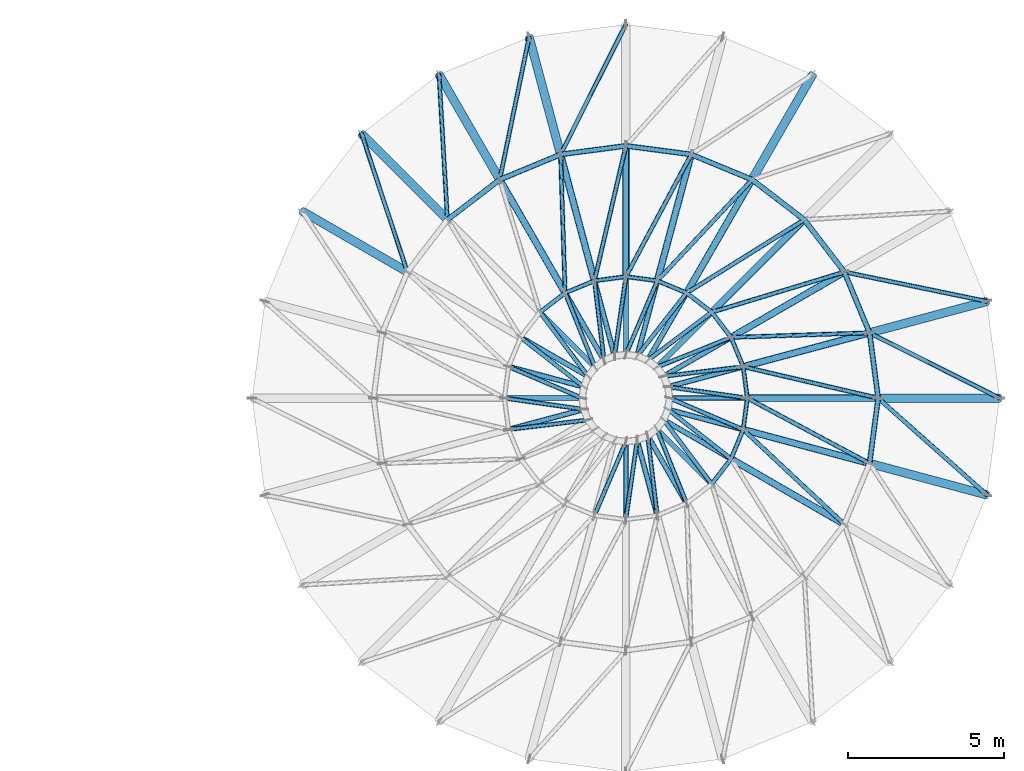
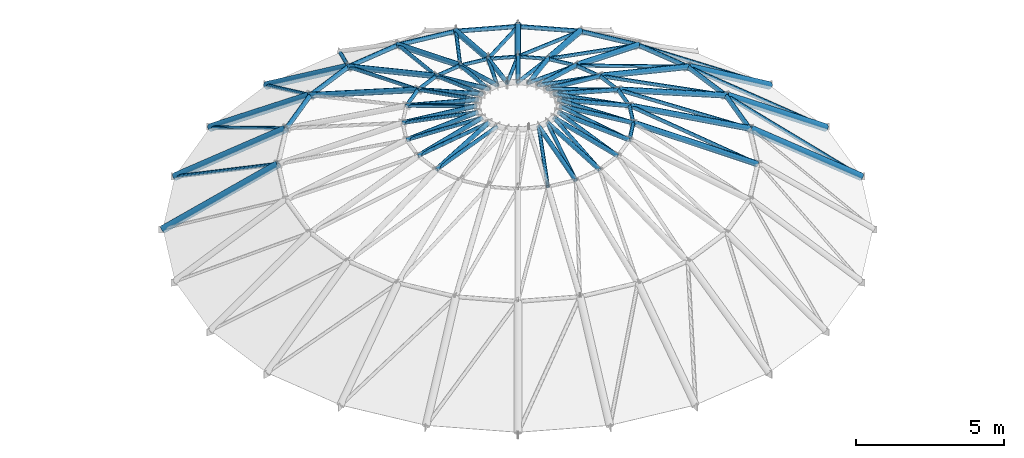
# One storey, part 16 of 32: 60 members, 39 beams.
"""IFC4 building model written with IfcOpenShell, lengths in metres."""

from ifc_helpers import new_model, si_unit, direction, frame, origin, origin_2d, place, context, subcontext, project, spatial, hollow_circle, extrude, material, material_profile, profile_set, type_object, element, save


model = new_model("IFC4")

# Units and contexts
model_context = context("Model", 3, precision=1e-05, world=origin(), true_north=direction((0.0, 1.0)))
body_context = subcontext(model_context, "Body", "Model", "MODEL_VIEW")
ifc_project = project(units=[si_unit("LENGTHUNIT", "METRE"), si_unit("AREAUNIT", "SQUARE_METRE"), si_unit("VOLUMEUNIT", "CUBIC_METRE"), si_unit("PLANEANGLEUNIT", "RADIAN"), si_unit("MASSUNIT", "GRAM", prefix="KILO")], contexts=[model_context])

# Site, building, storey
site_placement = place(None, origin())
site = spatial("IfcSite", under=ifc_project, at=site_placement, CompositionType="ELEMENT")
building_placement = place(site_placement, origin())
building = spatial("IfcBuilding", under=site, at=building_placement, Name="Kandorven Conservatory and Botanical Research Centre", CompositionType="ELEMENT")
storey_placement = place(building_placement, frame((0.0, 0.0, 17.10009765625)))
storey = spatial("IfcBuildingStorey", under=building, at=storey_placement, Name="L04", CompositionType="ELEMENT", Elevation=17.10009765625)

# Beams
ifc_material_1 = material(Name="Steel S355 (IS 2062 E350)", Category="steel")
ifc_material_profile_1 = material_profile(ifc_material_1, hollow_circle(Radius=0.136474609375, WallThickness=0.013916015625, at=origin_2d()))
ifc_profile_set_1 = profile_set([ifc_material_profile_1], Name="Steel S355 (IS 2062 E350)")
beam_type_1 = type_object("IfcBeamType", Name="Beam_DR-03", PredefinedType="BEAM", material=ifc_profile_set_1)
for number, where, z_axis, x_axis, name in (
    (1, (99.60009765625, 47.800048828125, 0.599853515625), (-0.822207014252, 0.0, 0.569188567801), (0.0, -1.0, 0.0), "Conservatory Dome Rib DR-03 T3-R01"),
    (2, (99.191162109375, 50.90576171875, 0.599853515625), (-0.794183866007, -0.212777453148, 0.569207995733), (0.258792408894, -0.965932963046, 0.0), "Conservatory Dome Rib DR-03 T3-R02"),
):
    element("IfcBeam", number, at=place(storey_placement, frame(where, z_axis=z_axis, x_axis=x_axis)), inside=storey, type_object=beam_type_1, Name=name, PredefinedType="BEAM", context=body_context, shape_type="SweptSolid", body=[
        extrude(hollow_circle(Radius=0.136474609375, WallThickness=0.013916015625, at=origin_2d()), origin(), (0.0, 0.0, 1.0), 4.743408203125),
    ])
beam_1_placement = place(storey_placement, frame((93.60009765625, 58.1923828125, 0.599853515625), z_axis=(-0.411121212857, -0.71205082372, 0.569177452802), x_axis=(0.866015672276, -0.500016855088, 0.0)))
element("IfcBeam", 3, at=beam_1_placement, inside=storey, type_object=beam_type_1, Name="Conservatory Dome Rib DR-03 T3-R05", PredefinedType="BEAM", context=body_context, shape_type="SweptSolid", body=[
    extrude(hollow_circle(Radius=0.136474609375, WallThickness=0.013916015625, at=origin_2d()), origin(), (0.0, 0.0, 1.0), 4.74365234375),
])
for number, where, z_axis, x_axis, name in (
    (4, (84.494140625, 59.39111328125, 0.599853515625), (0.212826592184, -0.79417516745, 0.569201761298), (0.965917312786, 0.258850815837, 0.0), "Conservatory Dome Rib DR-03 T3-R08"),
    (5, (81.60009765625, 58.1923828125, 0.599853515625), (0.411078443192, -0.712065889767, 0.569189495839), (0.866042777325, 0.499969906938, 0.0), "Conservatory Dome Rib DR-03 T3-R09"),
    (6, (79.11474609375, 56.285400390625, 0.599853515625), (0.581353568201, -0.581405038194, 0.56920664991), (0.707138080869, 0.707075480118, 0.0), "Conservatory Dome Rib DR-03 T3-R10"),
    (7, (77.207763671875, 53.800048828125, 0.599853515625), (0.712040516377, -0.411093509058, 0.569210356413), (0.499997012787, 0.866027128446, 0.0), "Conservatory Dome Rib DR-03 T3-R11"),
    (8, (99.191162109375, 44.694091796875, 0.599853515625), (-0.79417516745, 0.212826592184, 0.569201761298), (-0.258850815837, -0.965917312786, 0.0), "Conservatory Dome Rib DR-03 T3-R24"),
):
    element("IfcBeam", number, at=place(storey_placement, frame(where, z_axis=z_axis, x_axis=x_axis)), inside=storey, type_object=beam_type_1, Name=name, PredefinedType="BEAM", context=body_context, shape_type="SweptSolid", body=[
        extrude(hollow_circle(Radius=0.136474609375, WallThickness=0.013916015625, at=origin_2d()), origin(), (0.0, 0.0, 1.0), 4.743408203125),
    ])
ifc_material_2 = material(Name="Steel S355 (IS 2062 E350)", Category="steel")
ifc_material_profile_2 = material_profile(ifc_material_2, hollow_circle(Radius=0.109619140625, WallThickness=0.011962890625, at=origin_2d()))
ifc_profile_set_2 = profile_set([ifc_material_profile_2], Name="Steel S355 (IS 2062 E350)")
beam_type_2 = type_object("IfcBeamType", Name="Beam_DR-04", PredefinedType="BEAM", material=ifc_profile_set_2)
for number, where, z_axis, x_axis, name in (
    (9, (95.699951171875, 47.800048828125, 3.2998046875), (-0.926930303941, 0.0, 0.375233542792), (0.0, -1.0, 0.0), "Conservatory Dome Rib DR-04 T4-R01"),
    (10, (95.424072265625, 49.896484375, 3.2998046875), (-0.895341618851, -0.239932372194, 0.375227720628), (0.258845526043, -0.965918730353, 0.0), "Conservatory Dome Rib DR-04 T4-R02"),
    (11, (94.61474609375, 51.85009765625, 3.2998046875), (-0.802730664096, -0.463491017086, 0.375232671819), (0.500027713859, -0.866009402589, 0.0), "Conservatory Dome Rib DR-04 T4-R03"),
):
    element("IfcBeam", number, at=place(storey_placement, frame(where, z_axis=z_axis, x_axis=x_axis)), inside=storey, type_object=beam_type_2, Name=name, PredefinedType="BEAM", context=body_context, shape_type="SweptSolid", body=[
        extrude(hollow_circle(Radius=0.109619140625, WallThickness=0.011962890625, at=origin_2d()), origin(), (0.0, 0.0, 1.0), 4.531005859375),
    ])
beam_2_placement = place(storey_placement, frame((93.32763671875, 53.527587890625, 3.2998046875), z_axis=(-0.655443574187, -0.655443574187, 0.375216526974), x_axis=(0.707106781187, -0.707106781187, 0.0)))
element("IfcBeam", 12, at=beam_2_placement, inside=storey, type_object=beam_type_2, Name="Conservatory Dome Rib DR-04 T4-R04", PredefinedType="BEAM", context=body_context, shape_type="SweptSolid", body=[
    extrude(hollow_circle(Radius=0.109619140625, WallThickness=0.011962890625, at=origin_2d()), origin(), (0.0, 0.0, 1.0), 4.53125),
])
for number, where, z_axis, x_axis, name in (
    (13, (91.64990234375, 54.814697265625, 3.2998046875), (-0.463448708822, -0.802750710851, 0.375242042581), (0.866034573852, -0.49998411664, 0.0), "Conservatory Dome Rib DR-04 T4-R05"),
    (14, (89.6962890625, 55.6240234375, 3.2998046875), (-0.239881591947, -0.895353192583, 0.37523257105), (0.965933262516, -0.258791291131, 0.0), "Conservatory Dome Rib DR-04 T4-R06"),
    (15, (87.60009765625, 55.89990234375, 3.2998046875), (0.0, -0.926930303941, 0.375233542792), (1.0, 0.0, 0.0), "Conservatory Dome Rib DR-04 T4-R07"),
    (16, (85.503662109375, 55.6240234375, 3.2998046875), (0.239881591947, -0.895353192583, 0.37523257105), (0.965933262516, 0.258791291131, 0.0), "Conservatory Dome Rib DR-04 T4-R08"),
    (17, (83.550048828125, 54.814697265625, 3.2998046875), (0.463448708822, -0.802750710851, 0.375242042581), (0.866034573852, 0.49998411664, 0.0), "Conservatory Dome Rib DR-04 T4-R09"),
    (18, (94.61474609375, 43.75, 3.2998046875), (-0.802730664096, 0.463491017086, 0.375232671819), (-0.500027713859, -0.866009402589, 0.0), "Conservatory Dome Rib DR-04 T4-R23"),
    (19, (95.424072265625, 45.70361328125, 3.2998046875), (-0.895353192583, 0.239881591947, 0.37523257105), (-0.258791291131, -0.965933262516, 0.0), "Conservatory Dome Rib DR-04 T4-R24"),
):
    element("IfcBeam", number, at=place(storey_placement, frame(where, z_axis=z_axis, x_axis=x_axis)), inside=storey, type_object=beam_type_2, Name=name, PredefinedType="BEAM", context=body_context, shape_type="SweptSolid", body=[
        extrude(hollow_circle(Radius=0.109619140625, WallThickness=0.011962890625, at=origin_2d()), origin(), (0.0, 0.0, 1.0), 4.531005859375),
    ])
ifc_material_3 = material(Name="Steel S355 (IS 2062 E350)", Category="steel")
ifc_material_profile_3 = material_profile(ifc_material_3, hollow_circle(Radius=0.084228515625, WallThickness=0.010009765625, at=origin_2d()))
ifc_profile_set_3 = profile_set([ifc_material_profile_3], Name="Steel S355 (IS 2062 E350)")
beam_type_3 = type_object("IfcBeamType", Name="Beam_DR-05", PredefinedType="BEAM", material=ifc_profile_set_3)
for number, where, z_axis, x_axis, name in (
    (20, (91.5, 47.800048828125, 5.0), (-0.962968902935, 0.0, 0.269612484836), (0.0, -1.0, 0.0), "Conservatory Dome Rib DR-05 T5-R01"),
    (21, (91.3671875, 48.809326171875, 5.0), (-0.930162206369, -0.249209366786, 0.269616322481), (0.258793034845, -0.965932795341, 0.0), "Conservatory Dome Rib DR-05 T5-R02"),
    (22, (90.9775390625, 49.75, 5.0), (-0.833952665417, -0.481488232627, 0.269614602137), (0.500004234368, -0.866022959057, 0.0), "Conservatory Dome Rib DR-05 T5-R03"),
    (23, (90.357666015625, 50.5576171875, 5.0), (-0.680923390004, -0.680923390004, 0.269604662221), (0.707106781187, -0.707106781187, 0.0), "Conservatory Dome Rib DR-05 T5-R04"),
    (24, (89.550048828125, 51.177490234375, 5.0), (-0.481488232627, -0.833952665417, 0.269614602137), (0.866022959057, -0.500004234368, 0.0), "Conservatory Dome Rib DR-05 T5-R05"),
    (25, (88.609375, 51.567138671875, 5.0), (-0.249209366786, -0.930162206369, 0.269616322481), (0.965932795341, -0.258793034845, 0.0), "Conservatory Dome Rib DR-05 T5-R06"),
    (26, (87.60009765625, 51.699951171875, 5.0), (0.0, -0.962968902935, 0.269612484836), (1.0, 0.0, 0.0), "Conservatory Dome Rib DR-05 T5-R07"),
    (27, (86.590576171875, 51.567138671875, 5.0), (0.249297564493, -0.930140403774, 0.269610002792), (0.965908379501, 0.258884148626, 0.0), "Conservatory Dome Rib DR-05 T5-R08"),
    (28, (85.64990234375, 51.177490234375, 5.0), (0.481488232627, -0.833952665417, 0.269614602137), (0.866022959057, 0.500004234368, 0.0), "Conservatory Dome Rib DR-05 T5-R09"),
    (29, (84.84228515625, 50.5576171875, 5.0), (0.680923390004, -0.680923390004, 0.269604662221), (0.707106781187, 0.707106781187, 0.0), "Conservatory Dome Rib DR-05 T5-R10"),
):
    element("IfcBeam", number, at=place(storey_placement, frame(where, z_axis=z_axis, x_axis=x_axis)), inside=storey, type_object=beam_type_3, Name=name, PredefinedType="BEAM", context=body_context, shape_type="SweptSolid", body=[
        extrude(hollow_circle(Radius=0.084228515625, WallThickness=0.010009765625, at=origin_2d()), origin(), (0.0, 0.0, 1.0), 2.59619140625),
    ])
beam_3_placement = place(storey_placement, frame((84.222412109375, 49.75, 5.0), z_axis=(0.833981299591, -0.481450474, 0.269593458781), x_axis=(0.499961950354, 0.866047370643, 0.0)))
element("IfcBeam", 30, at=beam_3_placement, inside=storey, type_object=beam_type_3, Name="Conservatory Dome Rib DR-05 T5-R11", PredefinedType="BEAM", context=body_context, shape_type="SweptSolid", body=[
    extrude(hollow_circle(Radius=0.084228515625, WallThickness=0.010009765625, at=origin_2d()), origin(), (0.0, 0.0, 1.0), 2.596435546875),
])
for number, where, z_axis, x_axis, name in (
    (31, (83.8330078125, 48.809326171875, 5.0), (0.930162206369, -0.249209366786, 0.269616322481), (0.258793034845, 0.965932795341, 0.0), "Conservatory Dome Rib DR-05 T5-R12"),
    (32, (83.699951171875, 47.800048828125, 5.0), (0.962968902935, 0.0, 0.269612484836), (0.0, 1.0, 0.0), "Conservatory Dome Rib DR-05 T5-R13"),
    (33, (83.8330078125, 46.79052734375, 5.0), (0.930140403774, 0.249297564493, 0.269610002792), (-0.258884148626, 0.965908379501, 0.0), "Conservatory Dome Rib DR-05 T5-R14"),
    (34, (87.60009765625, 43.89990234375, 5.0), (0.0, 0.962968902935, 0.269612484836), (-1.0, 0.0, 0.0), "Conservatory Dome Rib DR-05 T5-R19"),
    (35, (88.609375, 44.032958984375, 5.0), (-0.249209366786, 0.930162206369, 0.269616322481), (-0.965932795341, -0.258793034845, 0.0), "Conservatory Dome Rib DR-05 T5-R20"),
    (36, (89.550048828125, 44.422607421875, 5.0), (-0.481488232627, 0.833952665417, 0.269614602137), (-0.866022959057, -0.500004234368, 0.0), "Conservatory Dome Rib DR-05 T5-R21"),
    (37, (90.357666015625, 45.042236328125, 5.0), (-0.680923390004, 0.680923390004, 0.269604662221), (-0.707106781187, -0.707106781187, 0.0), "Conservatory Dome Rib DR-05 T5-R22"),
    (38, (90.9775390625, 45.85009765625, 5.0), (-0.833952665417, 0.481488232627, 0.269614602137), (-0.500004234368, -0.866022959057, 0.0), "Conservatory Dome Rib DR-05 T5-R23"),
    (39, (91.3671875, 46.79052734375, 5.0), (-0.930140403774, 0.249297564493, 0.269610002792), (-0.258884148626, -0.965908379501, 0.0), "Conservatory Dome Rib DR-05 T5-R24"),
):
    element("IfcBeam", number, at=place(storey_placement, frame(where, z_axis=z_axis, x_axis=x_axis)), inside=storey, type_object=beam_type_3, Name=name, PredefinedType="BEAM", context=body_context, shape_type="SweptSolid", body=[
        extrude(hollow_circle(Radius=0.084228515625, WallThickness=0.010009765625, at=origin_2d()), origin(), (0.0, 0.0, 1.0), 2.59619140625),
    ])

# Members
ifc_material_4 = material(Name="Steel S355 (IS 2062 E350)", Category="steel")
ifc_material_profile_4 = material_profile(ifc_material_4, hollow_circle(Radius=0.06982421875, WallThickness=0.008056640625, at=origin_2d()))
ifc_profile_set_4 = profile_set([ifc_material_profile_4], Name="Steel S355 (IS 2062 E350)")
member_type_1 = type_object("IfcMemberType", Name="Mem_DD-01", PredefinedType="BRACE", material=ifc_profile_set_4)
for number, where, z_axis, x_axis, name in (
    (40, (99.60009765625, 47.800048828125, 0.599853515625), (-0.773816293349, 0.388468898625, 0.500300168848), (-0.448655063842, -0.893705003728, 0.0), "Conservatory Dome Brace DD-01 T3-S01"),
    (41, (99.191162109375, 50.90576171875, 0.599853515625), (-0.847992198852, 0.174981799155, 0.50029051625), (-0.202090733283, -0.979366803359, 0.0), "Conservatory Dome Brace DD-01 T3-S02"),
    (42, (87.60009765625, 59.800048828125, 0.599853515625), (-0.388468898625, -0.773816293349, 0.500300168848), (0.893705003728, -0.448655063842, 0.0), "Conservatory Dome Brace DD-01 T3-S07"),
    (43, (84.494140625, 59.39111328125, 0.599853515625), (-0.174937945455, -0.84799891067, 0.500294476026), (0.979377142928, -0.202040619456, 0.0), "Conservatory Dome Brace DD-01 T3-S08"),
    (44, (81.60009765625, 58.1923828125, 0.599853515625), (0.050441534508, -0.864382421385, 0.50029859204), (0.998301649755, 0.058256468283, 0.0), "Conservatory Dome Brace DD-01 T3-S09"),
    (45, (79.11474609375, 56.285400390625, 0.599853515625), (0.272475951096, -0.821861298946, 0.500300770906), (0.949194087352, 0.314691252717, 0.0), "Conservatory Dome Brace DD-01 T3-S10"),
    (46, (99.191162109375, 44.694091796875, 0.599853515625), (-0.646906015809, 0.575520163155, 0.500289064953), (-0.664681582389, -0.747126759013, 0.0), "Conservatory Dome Brace DD-01 T3-S24"),
):
    element("IfcMember", number, at=place(storey_placement, frame(where, z_axis=z_axis, x_axis=x_axis)), inside=storey, type_object=member_type_1, Name=name, PredefinedType="BRACE", context=body_context, shape_type="SweptSolid", body=[
        extrude(hollow_circle(Radius=0.06982421875, WallThickness=0.008056640625, at=origin_2d()), origin(), (0.0, 0.0, 1.0), 5.396728515625),
    ])
for number, where, z_axis, x_axis, name in (
    (47, (95.699951171875, 47.800048828125, 3.2998046875), (-0.909751816822, 0.211918296655, 0.356990570369), (-0.226867021209, -0.973925743929, 0.0), "Conservatory Dome Brace DD-01 T4-S01"),
    (48, (95.424072265625, 49.896484375, 3.2998046875), (-0.933606427592, -0.030756265116, 0.356977717112), (0.032925640063, -0.999457804125, 0.0), "Conservatory Dome Brace DD-01 T4-S02"),
    (49, (94.61474609375, 51.85009765625, 3.2998046875), (-0.89382593379, -0.271372053305, 0.356976762225), (0.290513006901, -0.956871042942, 0.0), "Conservatory Dome Brace DD-01 T4-S03"),
    (50, (93.32763671875, 53.527587890625, 3.2998046875), (-0.793152570971, -0.493432860348, 0.356977606427), (0.528236831045, -0.849097079448, 0.0), "Conservatory Dome Brace DD-01 T4-S04"),
    (51, (91.64990234375, 54.814697265625, 3.2998046875), (-0.638421069962, -0.681891526629, 0.356990872909), (0.72999227072, -0.683455400658, 0.0), "Conservatory Dome Brace DD-01 T4-S05"),
    (52, (89.6962890625, 55.6240234375, 3.2998046875), (-0.440129465253, -0.823922769045, 0.356983647336), (0.882039813632, -0.471174879602, 0.0), "Conservatory Dome Brace DD-01 T4-S06"),
    (53, (87.60009765625, 55.89990234375, 3.2998046875), (-0.211967255988, -0.909741932774, 0.356986691826), (0.973913617232, -0.226919074055, 0.0), "Conservatory Dome Brace DD-01 T4-S07"),
    (54, (85.503662109375, 55.6240234375, 3.2998046875), (0.030705053043, -0.933607898274, 0.356978279448), (0.999459608475, 0.032870823339, 0.0), "Conservatory Dome Brace DD-01 T4-S08"),
    (55, (94.61474609375, 43.75, 3.2998046875), (-0.681891526629, 0.638421069962, 0.356990872909), (-0.683455400658, -0.72999227072, 0.0), "Conservatory Dome Brace DD-01 T4-S23"),
    (56, (95.424072265625, 45.70361328125, 3.2998046875), (-0.823904179571, 0.440170795121, 0.356975593015), (-0.471217572022, -0.882017006535, 0.0), "Conservatory Dome Brace DD-01 T4-S24"),
):
    element("IfcMember", number, at=place(storey_placement, frame(where, z_axis=z_axis, x_axis=x_axis)), inside=storey, type_object=member_type_1, Name=name, PredefinedType="BRACE", context=body_context, shape_type="SweptSolid", body=[
        extrude(hollow_circle(Radius=0.06982421875, WallThickness=0.008056640625, at=origin_2d()), origin(), (0.0, 0.0, 1.0), 4.7626953125),
    ])
for number, where, z_axis, x_axis, name in (
    (57, (91.5, 47.800048828125, 5.0), (-0.955326667688, 0.135860543828, 0.262474514256), (-0.140797039357, -0.990038480923, 0.0), "Conservatory Dome Brace DD-01 T5-S01"),
    (58, (91.3671875, 48.809326171875, 5.0), (-0.957945077261, -0.115989718357, 0.262464500813), (0.120203867755, -0.992749228243, 0.0), "Conservatory Dome Brace DD-01 T5-S02"),
):
    element("IfcMember", number, at=place(storey_placement, frame(where, z_axis=z_axis, x_axis=x_axis)), inside=storey, type_object=member_type_1, Name=name, PredefinedType="BRACE", context=body_context, shape_type="SweptSolid", body=[
        extrude(hollow_circle(Radius=0.06982421875, WallThickness=0.008056640625, at=origin_2d()), origin(), (0.0, 0.0, 1.0), 2.666748046875),
    ])
member_1_placement = place(storey_placement, frame((90.9775390625, 49.75, 5.0), z_axis=(-0.895265944989, -0.360028728184, 0.26244657099), x_axis=(0.373107440269, -0.927788142851, 0.0)))
element("IfcMember", 59, at=member_1_placement, inside=storey, type_object=member_type_1, Name="Conservatory Dome Brace DD-01 T5-S03", PredefinedType="BRACE", context=body_context, shape_type="SweptSolid", body=[
    extrude(hollow_circle(Radius=0.06982421875, WallThickness=0.008056640625, at=origin_2d()), origin(), (0.0, 0.0, 1.0), 2.6669921875),
])
for number, where, z_axis, x_axis, name in (
    (60, (90.357666015625, 50.5576171875, 5.0), (-0.771598468097, -0.579431265375, 0.262478975799), (0.600485667014, -0.799635519291, 0.0), "Conservatory Dome Brace DD-01 T5-S04"),
    (61, (89.550048828125, 51.177490234375, 5.0), (-0.595339797493, -0.759394682486, 0.262469506291), (0.786986192197, -0.616970609747, 0.0), "Conservatory Dome Brace DD-01 T5-S05"),
    (62, (88.609375, 51.567138671875, 5.0), (-0.378451385242, -0.887630534908, 0.262462535435), (0.919879501682, -0.392201099418, 0.0), "Conservatory Dome Brace DD-01 T5-S06"),
    (63, (87.60009765625, 51.699951171875, 5.0), (-0.135860543828, -0.955326667688, 0.262474514256), (0.990038480923, -0.140797039357, 0.0), "Conservatory Dome Brace DD-01 T5-S07"),
    (64, (86.590576171875, 51.567138671875, 5.0), (0.115989718357, -0.957945077261, 0.262464500813), (0.992749228243, 0.120203867755, 0.0), "Conservatory Dome Brace DD-01 T5-S08"),
):
    element("IfcMember", number, at=place(storey_placement, frame(where, z_axis=z_axis, x_axis=x_axis)), inside=storey, type_object=member_type_1, Name=name, PredefinedType="BRACE", context=body_context, shape_type="SweptSolid", body=[
        extrude(hollow_circle(Radius=0.06982421875, WallThickness=0.008056640625, at=origin_2d()), origin(), (0.0, 0.0, 1.0), 2.666748046875),
    ])
member_2_placement = place(storey_placement, frame((85.64990234375, 51.177490234375, 5.0), z_axis=(0.360028728184, -0.895265944989, 0.26244657099), x_axis=(0.927788142851, 0.373107440269, 0.0)))
element("IfcMember", 65, at=member_2_placement, inside=storey, type_object=member_type_1, Name="Conservatory Dome Brace DD-01 T5-S09", PredefinedType="BRACE", context=body_context, shape_type="SweptSolid", body=[
    extrude(hollow_circle(Radius=0.06982421875, WallThickness=0.008056640625, at=origin_2d()), origin(), (0.0, 0.0, 1.0), 2.6669921875),
])
member_3_placement = place(storey_placement, frame((84.84228515625, 50.5576171875, 5.0), z_axis=(0.579492074673, -0.771557536389, 0.262465051831), x_axis=(0.799589961835, 0.600546328715, 0.0)))
element("IfcMember", 66, at=member_3_placement, inside=storey, type_object=member_type_1, Name="Conservatory Dome Brace DD-01 T5-S10", PredefinedType="BRACE", context=body_context, shape_type="SweptSolid", body=[
    extrude(hollow_circle(Radius=0.06982421875, WallThickness=0.008056640625, at=origin_2d()), origin(), (0.0, 0.0, 1.0), 2.666748046875),
])
member_4_placement = place(storey_placement, frame((84.222412109375, 49.75, 5.0), z_axis=(0.759433432724, -0.595298410439, 0.262451259838), x_axis=(0.616924545938, 0.787022302492, 0.0)))
element("IfcMember", 67, at=member_4_placement, inside=storey, type_object=member_type_1, Name="Conservatory Dome Brace DD-01 T5-S11", PredefinedType="BRACE", context=body_context, shape_type="SweptSolid", body=[
    extrude(hollow_circle(Radius=0.06982421875, WallThickness=0.008056640625, at=origin_2d()), origin(), (0.0, 0.0, 1.0), 2.6669921875),
])
member_5_placement = place(storey_placement, frame((83.8330078125, 48.809326171875, 5.0), z_axis=(0.887611114521, -0.378482140014, 0.262483864397), x_axis=(0.392235329862, 0.91986490639, 0.0)))
element("IfcMember", 68, at=member_5_placement, inside=storey, type_object=member_type_1, Name="Conservatory Dome Brace DD-01 T5-S12", PredefinedType="BRACE", context=body_context, shape_type="SweptSolid", body=[
    extrude(hollow_circle(Radius=0.06982421875, WallThickness=0.008056640625, at=origin_2d()), origin(), (0.0, 0.0, 1.0), 2.666748046875),
])
member_6_placement = place(storey_placement, frame((83.699951171875, 47.800048828125, 5.0), z_axis=(0.95533466364, -0.135848662403, 0.262451560047), x_axis=(0.140783815296, 0.990040361476, 0.0)))
element("IfcMember", 69, at=member_6_placement, inside=storey, type_object=member_type_1, Name="Conservatory Dome Brace DD-01 T5-S13", PredefinedType="BRACE", context=body_context, shape_type="SweptSolid", body=[
    extrude(hollow_circle(Radius=0.06982421875, WallThickness=0.008056640625, at=origin_2d()), origin(), (0.0, 0.0, 1.0), 2.6669921875),
])
for number, where, z_axis, x_axis, name in (
    (70, (83.8330078125, 46.79052734375, 5.0), (0.957934901488, 0.116080032023, 0.262461712783), (-0.120297368164, 0.992737902577, 0.0), "Conservatory Dome Brace DD-01 T5-S14"),
    (71, (86.590576171875, 44.032958984375, 5.0), (0.378560574508, 0.887580355466, 0.262474768347), (-0.919830671, 0.392315608518, 0.0), "Conservatory Dome Brace DD-01 T5-S18"),
):
    element("IfcMember", number, at=place(storey_placement, frame(where, z_axis=z_axis, x_axis=x_axis)), inside=storey, type_object=member_type_1, Name=name, PredefinedType="BRACE", context=body_context, shape_type="SweptSolid", body=[
        extrude(hollow_circle(Radius=0.06982421875, WallThickness=0.008056640625, at=origin_2d()), origin(), (0.0, 0.0, 1.0), 2.666748046875),
    ])
member_7_placement = place(storey_placement, frame((87.60009765625, 43.89990234375, 5.0), z_axis=(0.135848662403, 0.95533466364, 0.262451560047), x_axis=(-0.990040361476, 0.140783815296, 0.0)))
element("IfcMember", 72, at=member_7_placement, inside=storey, type_object=member_type_1, Name="Conservatory Dome Brace DD-01 T5-S19", PredefinedType="BRACE", context=body_context, shape_type="SweptSolid", body=[
    extrude(hollow_circle(Radius=0.06982421875, WallThickness=0.008056640625, at=origin_2d()), origin(), (0.0, 0.0, 1.0), 2.6669921875),
])
for number, where, z_axis, x_axis, name in (
    (73, (88.609375, 44.032958984375, 5.0), (-0.115989718357, 0.957945077261, 0.262464500813), (-0.992749228243, -0.120203867755, 0.0), "Conservatory Dome Brace DD-01 T5-S20"),
    (74, (89.550048828125, 44.422607421875, 5.0), (-0.360058235766, 0.895247772071, 0.262468080839), (-0.92777493491, -0.373140282135, 0.0), "Conservatory Dome Brace DD-01 T5-S21"),
):
    element("IfcMember", number, at=place(storey_placement, frame(where, z_axis=z_axis, x_axis=x_axis)), inside=storey, type_object=member_type_1, Name=name, PredefinedType="BRACE", context=body_context, shape_type="SweptSolid", body=[
        extrude(hollow_circle(Radius=0.06982421875, WallThickness=0.008056640625, at=origin_2d()), origin(), (0.0, 0.0, 1.0), 2.666748046875),
    ])
member_8_placement = place(storey_placement, frame((90.357666015625, 45.042236328125, 5.0), z_axis=(-0.579390335553, 0.771635509303, 0.262460434829), x_axis=(-0.799669726955, -0.600440111745, 0.0)))
element("IfcMember", 75, at=member_8_placement, inside=storey, type_object=member_type_1, Name="Conservatory Dome Brace DD-01 T5-S22", PredefinedType="BRACE", context=body_context, shape_type="SweptSolid", body=[
    extrude(hollow_circle(Radius=0.06982421875, WallThickness=0.008056640625, at=origin_2d()), origin(), (0.0, 0.0, 1.0), 2.6669921875),
])
member_9_placement = place(storey_placement, frame((90.9775390625, 45.85009765625, 5.0), z_axis=(-0.759394682486, 0.595339797493, 0.262469506291), x_axis=(-0.616970609747, -0.786986192197, 0.0)))
element("IfcMember", 76, at=member_9_placement, inside=storey, type_object=member_type_1, Name="Conservatory Dome Brace DD-01 T5-S23", PredefinedType="BRACE", context=body_context, shape_type="SweptSolid", body=[
    extrude(hollow_circle(Radius=0.06982421875, WallThickness=0.008056640625, at=origin_2d()), origin(), (0.0, 0.0, 1.0), 2.666748046875),
])
member_10_placement = place(storey_placement, frame((91.3671875, 46.79052734375, 5.0), z_axis=(-0.887599780178, 0.378529815495, 0.262453441602), x_axis=(-0.392281373616, -0.919845271725, 0.0)))
element("IfcMember", 77, at=member_10_placement, inside=storey, type_object=member_type_1, Name="Conservatory Dome Brace DD-01 T5-S24", PredefinedType="BRACE", context=body_context, shape_type="SweptSolid", body=[
    extrude(hollow_circle(Radius=0.06982421875, WallThickness=0.008056640625, at=origin_2d()), origin(), (0.0, 0.0, 1.0), 2.6669921875),
])
ifc_material_5 = material(Name="Steel S355 (IS 2062 E350)", Category="steel")
ifc_material_profile_5 = material_profile(ifc_material_5, hollow_circle(Radius=0.084228515625, WallThickness=0.010009765625, at=origin_2d()))
ifc_profile_set_5 = profile_set([ifc_material_profile_5], Name="Steel S355 (IS 2062 E350)")
member_type_2 = type_object("IfcMemberType", Name="Mem_DH-03", PredefinedType="CHORD", material=ifc_profile_set_5)
for number, where, z_axis, x_axis, name in (
    (78, (95.699951171875, 47.800048828125, 3.2998046875), (-0.130469446076, 0.991452330493, 0.0), (-0.991452330493, -0.130469446076, 0.0), "Conservatory Dome Hoop DH-03 T3-S01"),
    (79, (95.424072265625, 49.896484375, 3.2998046875), (-0.382729065936, 0.923860629147, 0.0), (-0.923860629147, -0.382729065936, 0.0), "Conservatory Dome Hoop DH-03 T3-S02"),
    (80, (94.61474609375, 51.85009765625, 3.2998046875), (-0.608739354659, 0.793370278047, 0.0), (-0.793370278047, -0.608739354659, 0.0), "Conservatory Dome Hoop DH-03 T3-S03"),
    (81, (93.32763671875, 53.527587890625, 3.2998046875), (-0.793413059848, 0.608683593062, 0.0), (-0.608683593062, -0.793413059848, 0.0), "Conservatory Dome Hoop DH-03 T3-S04"),
    (82, (91.64990234375, 54.814697265625, 3.2998046875), (-0.923860629147, 0.382729065936, 0.0), (-0.382729065936, -0.923860629147, 0.0), "Conservatory Dome Hoop DH-03 T3-S05"),
):
    element("IfcMember", number, at=place(storey_placement, frame(where, z_axis=z_axis, x_axis=x_axis)), inside=storey, type_object=member_type_2, Name=name, PredefinedType="CHORD", context=body_context, shape_type="SweptSolid", body=[
        extrude(hollow_circle(Radius=0.084228515625, WallThickness=0.010009765625, at=origin_2d()), origin(), (0.0, 0.0, 1.0), 2.114501953125),
    ])
member_11_placement = place(storey_placement, frame((89.6962890625, 55.6240234375, 3.2998046875), z_axis=(-0.991450364769, 0.130484382971, 0.0), x_axis=(-0.130484382971, -0.991450364769, 0.0)))
element("IfcMember", 83, at=member_11_placement, inside=storey, type_object=member_type_2, Name="Conservatory Dome Hoop DH-03 T3-S06", PredefinedType="CHORD", context=body_context, shape_type="SweptSolid", body=[
    extrude(hollow_circle(Radius=0.084228515625, WallThickness=0.010009765625, at=origin_2d()), origin(), (0.0, 0.0, 1.0), 2.1142578125),
])
for number, where, z_axis, x_axis, name in (
    (84, (87.60009765625, 55.89990234375, 3.2998046875), (-0.991452330493, -0.130469446076, 0.0), (0.130469446076, -0.991452330493, 0.0), "Conservatory Dome Hoop DH-03 T3-S07"),
    (85, (85.503662109375, 55.6240234375, 3.2998046875), (-0.923860629147, -0.382729065936, 0.0), (0.382729065936, -0.923860629147, 0.0), "Conservatory Dome Hoop DH-03 T3-S08"),
    (86, (83.550048828125, 54.814697265625, 3.2998046875), (-0.793413059848, -0.608683593062, 0.0), (0.608683593062, -0.793413059848, 0.0), "Conservatory Dome Hoop DH-03 T3-S09"),
    (87, (95.424072265625, 45.70361328125, 3.2998046875), (0.130469446076, 0.991452330493, 0.0), (-0.991452330493, 0.130469446076, 0.0), "Conservatory Dome Hoop DH-03 T3-S24"),
):
    element("IfcMember", number, at=place(storey_placement, frame(where, z_axis=z_axis, x_axis=x_axis)), inside=storey, type_object=member_type_2, Name=name, PredefinedType="CHORD", context=body_context, shape_type="SweptSolid", body=[
        extrude(hollow_circle(Radius=0.084228515625, WallThickness=0.010009765625, at=origin_2d()), origin(), (0.0, 0.0, 1.0), 2.114501953125),
    ])
ifc_material_6 = material(Name="Steel S355 (IS 2062 E350)", Category="steel")
ifc_material_profile_6 = material_profile(ifc_material_6, hollow_circle(Radius=0.06982421875, WallThickness=0.008056640625, at=origin_2d()))
ifc_profile_set_6 = profile_set([ifc_material_profile_6], Name="Steel S355 (IS 2062 E350)")
member_type_3 = type_object("IfcMemberType", Name="Mem_DH-04", PredefinedType="CHORD", material=ifc_profile_set_6)
for number, where, z_axis, x_axis, name in (
    (88, (91.5, 47.800048828125, 5.0), (-0.130466920319, 0.991452662865, 0.0), (-0.991452662865, -0.130466920319, 0.0), "Conservatory Dome Hoop DH-04 T4-S01"),
    (89, (91.3671875, 48.809326171875, 5.0), (-0.38269062517, 0.923876553121, 0.0), (-0.923876553121, -0.38269062517, 0.0), "Conservatory Dome Hoop DH-04 T4-S02"),
    (90, (90.9775390625, 49.75, 5.0), (-0.608864410711, 0.793274309032, 0.0), (-0.793274309032, -0.608864410711, 0.0), "Conservatory Dome Hoop DH-04 T4-S03"),
    (91, (90.357666015625, 50.5576171875, 5.0), (-0.793274309032, 0.608864410711, 0.0), (-0.608864410711, -0.793274309032, 0.0), "Conservatory Dome Hoop DH-04 T4-S04"),
    (92, (89.550048828125, 51.177490234375, 5.0), (-0.923876553121, 0.38269062517, 0.0), (-0.38269062517, -0.923876553121, 0.0), "Conservatory Dome Hoop DH-04 T4-S05"),
    (93, (88.609375, 51.567138671875, 5.0), (-0.991452662865, 0.130466920319, 0.0), (-0.130466920319, -0.991452662865, 0.0), "Conservatory Dome Hoop DH-04 T4-S06"),
):
    element("IfcMember", number, at=place(storey_placement, frame(where, z_axis=z_axis, x_axis=x_axis)), inside=storey, type_object=member_type_3, Name=name, PredefinedType="CHORD", context=body_context, shape_type="SweptSolid", body=[
        extrude(hollow_circle(Radius=0.06982421875, WallThickness=0.008056640625, at=origin_2d()), origin(), (0.0, 0.0, 1.0), 1.01806640625),
    ])
member_12_placement = place(storey_placement, frame((87.60009765625, 51.699951171875, 5.0), z_axis=(-0.991456743685, -0.130435905336, 0.0), x_axis=(0.130435905336, -0.991456743685, 0.0)))
element("IfcMember", 94, at=member_12_placement, inside=storey, type_object=member_type_3, Name="Conservatory Dome Hoop DH-04 T4-S07", PredefinedType="CHORD", context=body_context, shape_type="SweptSolid", body=[
    extrude(hollow_circle(Radius=0.06982421875, WallThickness=0.008056640625, at=origin_2d()), origin(), (0.0, 0.0, 1.0), 1.018310546875),
])
for number, where, z_axis, x_axis, name in (
    (95, (86.590576171875, 51.567138671875, 5.0), (-0.923876553121, -0.38269062517, 0.0), (0.38269062517, -0.923876553121, 0.0), "Conservatory Dome Hoop DH-04 T4-S08"),
    (96, (85.64990234375, 51.177490234375, 5.0), (-0.793274309032, -0.608864410711, 0.0), (0.608864410711, -0.793274309032, 0.0), "Conservatory Dome Hoop DH-04 T4-S09"),
):
    element("IfcMember", number, at=place(storey_placement, frame(where, z_axis=z_axis, x_axis=x_axis)), inside=storey, type_object=member_type_3, Name=name, PredefinedType="CHORD", context=body_context, shape_type="SweptSolid", body=[
        extrude(hollow_circle(Radius=0.06982421875, WallThickness=0.008056640625, at=origin_2d()), origin(), (0.0, 0.0, 1.0), 1.01806640625),
    ])
member_13_placement = place(storey_placement, frame((90.357666015625, 45.042236328125, 5.0), z_axis=(0.608748601372, 0.793363183119, 0.0), x_axis=(-0.793363183119, 0.608748601372, 0.0)))
element("IfcMember", 97, at=member_13_placement, inside=storey, type_object=member_type_3, Name="Conservatory Dome Hoop DH-04 T4-S22", PredefinedType="CHORD", context=body_context, shape_type="SweptSolid", body=[
    extrude(hollow_circle(Radius=0.06982421875, WallThickness=0.008056640625, at=origin_2d()), origin(), (0.0, 0.0, 1.0), 1.018310546875),
])
member_14_placement = place(storey_placement, frame((90.9775390625, 45.85009765625, 5.0), z_axis=(0.382775419081, 0.923841425001, 0.0), x_axis=(-0.923841425001, 0.382775419081, 0.0)))
element("IfcMember", 98, at=member_14_placement, inside=storey, type_object=member_type_3, Name="Conservatory Dome Hoop DH-04 T4-S23", PredefinedType="CHORD", context=body_context, shape_type="SweptSolid", body=[
    extrude(hollow_circle(Radius=0.06982421875, WallThickness=0.008056640625, at=origin_2d()), origin(), (0.0, 0.0, 1.0), 1.01806640625),
])
member_15_placement = place(storey_placement, frame((91.3671875, 46.79052734375, 5.0), z_axis=(0.130435905336, 0.991456743685, 0.0), x_axis=(-0.991456743685, 0.130435905336, 0.0)))
element("IfcMember", 99, at=member_15_placement, inside=storey, type_object=member_type_3, Name="Conservatory Dome Hoop DH-04 T4-S24", PredefinedType="CHORD", context=body_context, shape_type="SweptSolid", body=[
    extrude(hollow_circle(Radius=0.06982421875, WallThickness=0.008056640625, at=origin_2d()), origin(), (0.0, 0.0, 1.0), 1.018310546875),
])

save(model, "model.ifc")
